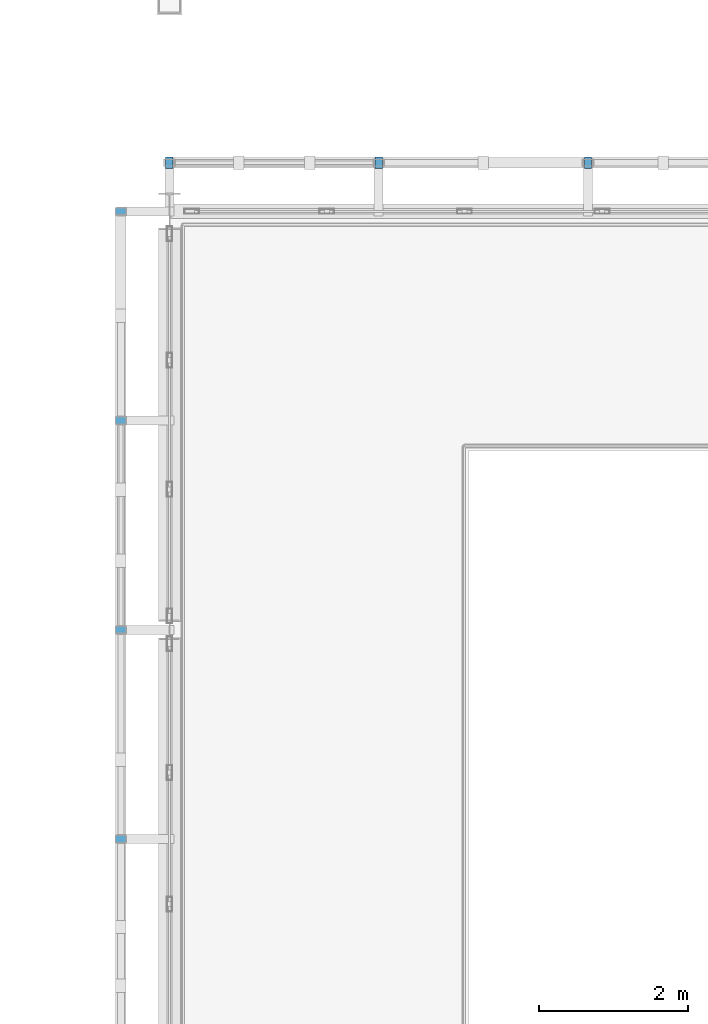
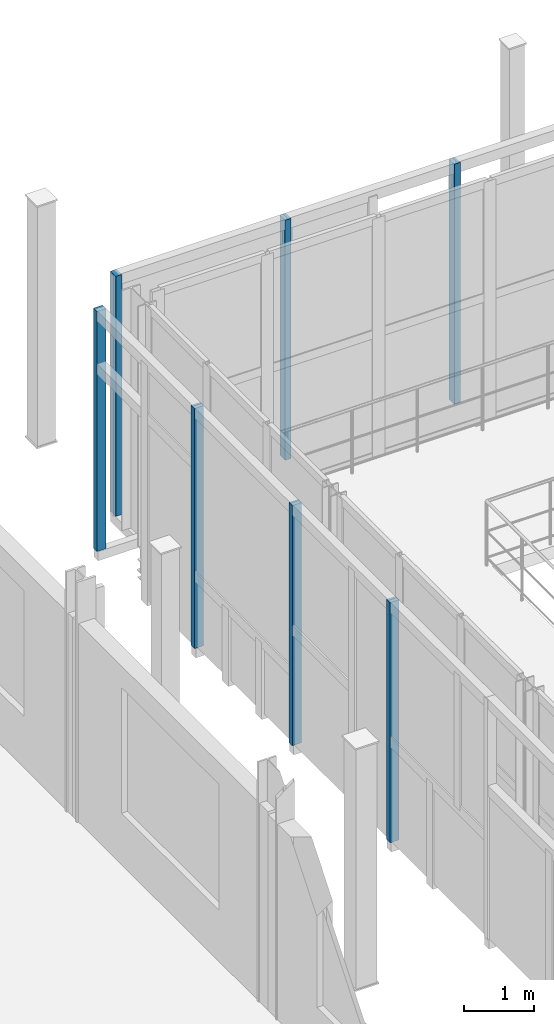
# One storey, part 126 of 138: 7 discrete accessories.
"""IFC4 building model written with IfcOpenShell, lengths in metres."""

from ifc_helpers import new_model, si_unit, direction, frame, origin, origin_2d, place, context, subcontext, project, spatial, rectangle, extrude, material, type_object, element, save


model = new_model("IFC4")

# Units and contexts
model_context = context("Model", 3, precision=1e-05, world=origin(), true_north=direction((0.0, 1.0)))
body_context = subcontext(model_context, "Body", "Model", "MODEL_VIEW")
ifc_project = project(units=[si_unit("LENGTHUNIT", "METRE"), si_unit("AREAUNIT", "SQUARE_METRE"), si_unit("VOLUMEUNIT", "CUBIC_METRE"), si_unit("PLANEANGLEUNIT", "RADIAN"), si_unit("MASSUNIT", "GRAM", prefix="KILO")], contexts=[model_context])

# Site, building, storey
site_placement = place(None, origin())
site = spatial("IfcSite", under=ifc_project, at=site_placement, CompositionType="ELEMENT")
building_placement = place(site_placement, origin())
building = spatial("IfcBuilding", under=site, at=building_placement, Name="Vinh Khe Railworks Police Headquarters", CompositionType="ELEMENT")
storey_placement = place(building_placement, frame((0.0, 0.0, 9.0)))
storey = spatial("IfcBuildingStorey", under=building, at=storey_placement, Name="L02", CompositionType="ELEMENT", Elevation=9.0)

# Discrete accessories
ifc_material = material(Name="Steel S355JR", Category="steel")
discrete_accessory_type = type_object("IfcDiscreteAccessoryType", Name="SCR-MULL-RHS150", PredefinedType="BRACKET", material=ifc_material)
for number, where, z_axis, x_axis, name in (
    (1, (26.39990234375, 59.449951171875, 0.0), (0.0, 0.0, 1.0), (1.0, 0.0, 0.0), "Patchwork Screen Vertical Support Channel N-1 L02"),
    (2, (29.199951171875, 59.449951171875, 0.0), (0.0, 0.0, 1.0), (1.0, 0.0, 0.0), "Patchwork Screen Vertical Support Channel N-2 L02"),
    (3, (32.0, 59.449951171875, 0.0), (0.0, 0.0, 1.0), (1.0, 0.0, 0.0), "Patchwork Screen Vertical Support Channel N-3 L02"),
):
    element("IfcDiscreteAccessory", number, at=place(storey_placement, frame(where, z_axis=z_axis, x_axis=x_axis)), inside=storey, type_object=discrete_accessory_type, Name=name, PredefinedType="BRACKET", context=body_context, shape_type="SweptSolid", body=[
        extrude(rectangle(XDim=0.10009765625, YDim=0.14990234375, at=origin_2d()), origin(), (0.0, 0.0, 1.0), 4.199951171875),
    ])
for number, where, z_axis, x_axis, name in (
    (4, (25.75, 50.39990234375, 0.0), (0.0, 0.0, 1.0), (1.0, 0.0, 0.0), "Patchwork Screen Vertical Support Channel W-10 L02"),
    (5, (25.75, 53.199951171875, 0.0), (0.0, 0.0, 1.0), (1.0, 0.0, 0.0), "Patchwork Screen Vertical Support Channel W-11 L02"),
    (6, (25.75, 56.0, 0.0), (0.0, 0.0, 1.0), (1.0, 0.0, 0.0), "Patchwork Screen Vertical Support Channel W-12 L02"),
    (7, (25.75, 58.800048828125, 0.0), (0.0, 0.0, 1.0), (1.0, 0.0, 0.0), "Patchwork Screen Vertical Support Channel W-13 L02"),
):
    element("IfcDiscreteAccessory", number, at=place(storey_placement, frame(where, z_axis=z_axis, x_axis=x_axis)), inside=storey, type_object=discrete_accessory_type, Name=name, PredefinedType="BRACKET", context=body_context, shape_type="SweptSolid", body=[
        extrude(rectangle(XDim=0.14990234375, YDim=0.10009765625, at=origin_2d()), origin(), (0.0, 0.0, 1.0), 4.199951171875),
    ])

save(model, "model.ifc")
